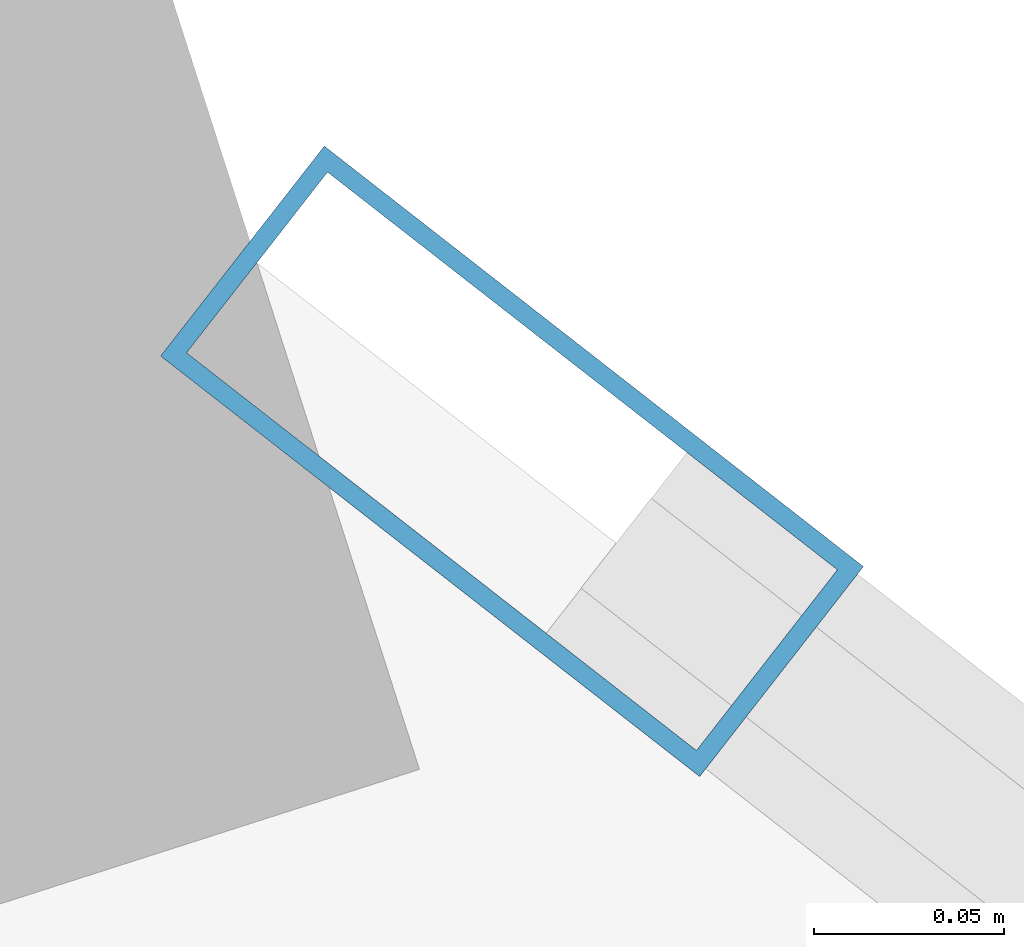
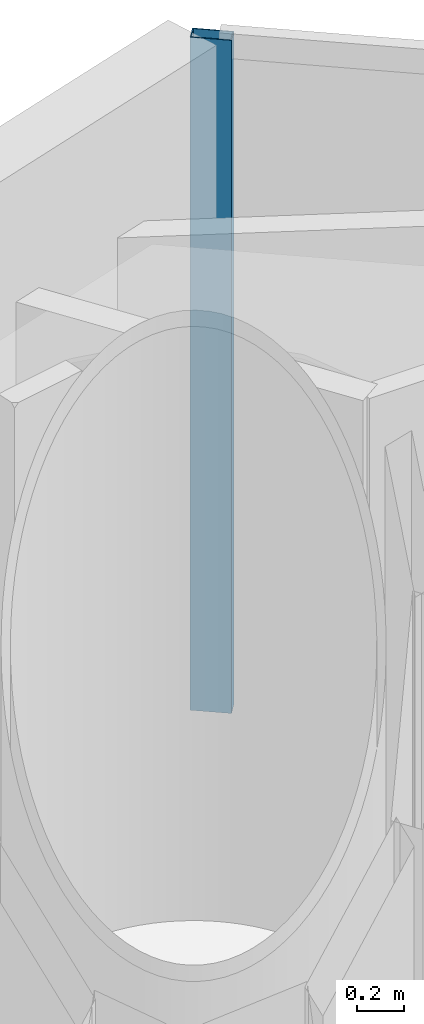
# One storey, part 15 of 23: 1 member, 1 element without a shape of its own.
"""IFC4 building model written with IfcOpenShell, lengths in metres."""

from ifc_helpers import new_model, si_unit, direction, frame, origin, origin_2d, place, context, subcontext, project, spatial, hollow_rectangle, extrude, material, layer, layer_set, material_profile, profile_set, type_object, element, aggregate, save


model = new_model("IFC4")

# Units and contexts
model_context = context("Model", 3, precision=1e-05, world=origin(), true_north=direction((0.0, 1.0)))
body_context = subcontext(model_context, "Body", "Model", "MODEL_VIEW")
ifc_project = project(units=[si_unit("LENGTHUNIT", "METRE"), si_unit("AREAUNIT", "SQUARE_METRE"), si_unit("VOLUMEUNIT", "CUBIC_METRE"), si_unit("PLANEANGLEUNIT", "RADIAN"), si_unit("MASSUNIT", "GRAM", prefix="KILO")], contexts=[model_context])

# Site, building, storey
site_placement = place(None, origin())
site = spatial("IfcSite", under=ifc_project, at=site_placement, CompositionType="ELEMENT")
building_placement = place(site_placement, origin())
building = spatial("IfcBuilding", under=site, at=building_placement, Name="Qianvela Tower", CompositionType="ELEMENT")
storey_placement = place(building_placement, frame((0.0, 0.0, 85.800048828125)))
storey = spatial("IfcBuildingStorey", under=building, at=storey_placement, Name="L21", CompositionType="ELEMENT", Elevation=85.800048828125)

# Curtain wall, member
ifc_material_1 = material(Name="Anodised Architectural Aluminium and Low-E Glass", Category="aluminium")
ifc_layer = layer(ifc_material_1, 0.179931640625)
ifc_layer_set = layer_set([ifc_layer], Name="Anodised Architectural Aluminium and Low-E Glass")
curtain_wall_type = type_object("IfcCurtainWallType", Name="CW-COLIV-Z12", PredefinedType="USERDEFINED", material=ifc_layer_set)
curtain_wall_placement = place(storey_placement, origin())
curtain_wall = element("IfcCurtainWall", 1, at=curtain_wall_placement, inside=storey, type_object=curtain_wall_type, Name="L21 CW-COLIV-Z12 Curtain Wall 02C", ObjectType="CURTAIN_WALL_SYSTEM", PredefinedType="USERDEFINED")
ifc_material_2 = material(Name="Anodised Architectural Aluminium 6063-T6", Category="aluminium")
ifc_material_profile = material_profile(ifc_material_2, hollow_rectangle(XDim=0.070068359375, YDim=0.179931640625, WallThickness=0.0048828125, at=origin_2d()), Name="ALU-MULL-70x180")
ifc_profile_set = profile_set([ifc_material_profile], Name="Anodised Architectural Aluminium 6063-T6")
member_type = type_object("IfcMemberType", Name="CW-COLIV-Z12-MULL", PredefinedType="MULLION", material=ifc_profile_set)
member_placement = place(storey_placement, frame((34.783203125, 44.54931640625, 0.0), z_axis=(0.0, 0.0, 1.0), x_axis=(-0.61501125076, -0.788518332975, 0.0)))
member = element("IfcMember", 2, at=member_placement, type_object=member_type, Name="CW-3 mullion 2", PredefinedType="MULLION", context=body_context, shape_type="SweptSolid", body=[
    extrude(hollow_rectangle(XDim=0.070068359375, YDim=0.179931640625, WallThickness=0.0048828125, at=origin_2d()), origin(), (0.0, 0.0, 1.0), 3.52001953125),
])
aggregate(curtain_wall, [member])

save(model, "model.ifc")
